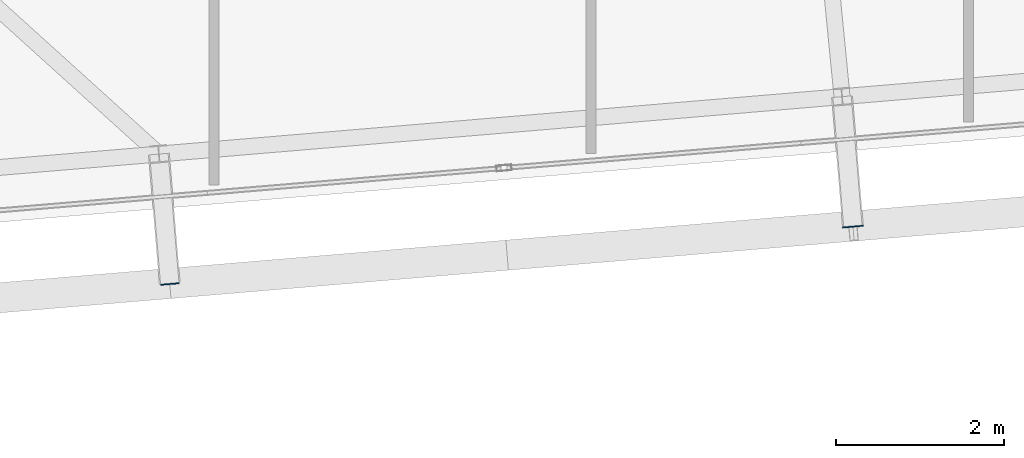
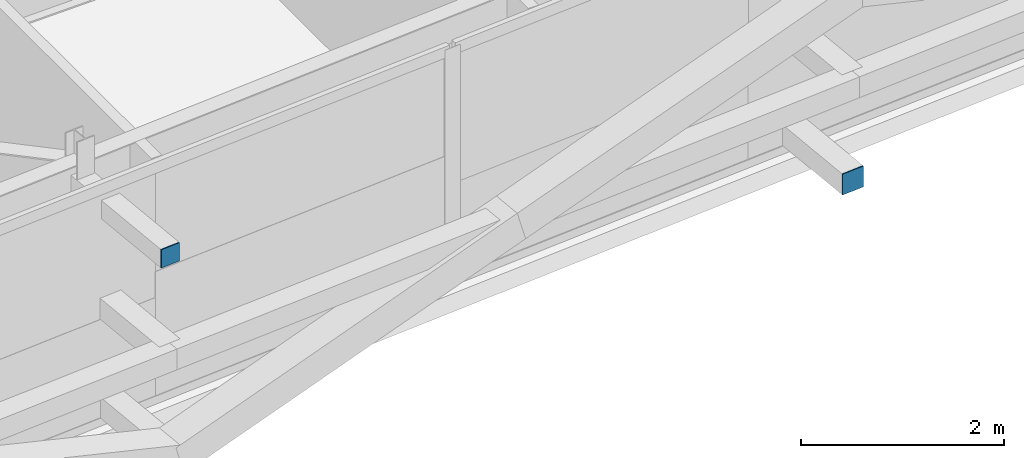
# One storey, part 28 of 39: 2 plates.
"""IFC4 building model written with IfcOpenShell, lengths in metres."""

from ifc_helpers import new_model, si_unit, direction, frame, origin, origin_2d, place, context, subcontext, project, spatial, rectangle, extrude, source, transform, mapped, material, layer, layer_set, type_object, element, save


model = new_model("IFC4")

# Units and contexts
model_context = context("Model", 3, precision=1e-05, world=origin(), true_north=direction((0.0, 1.0)))
body_context = subcontext(model_context, "Body", "Model", "MODEL_VIEW")
ifc_project = project(units=[si_unit("LENGTHUNIT", "METRE"), si_unit("AREAUNIT", "SQUARE_METRE"), si_unit("VOLUMEUNIT", "CUBIC_METRE"), si_unit("PLANEANGLEUNIT", "RADIAN"), si_unit("MASSUNIT", "GRAM", prefix="KILO")], contexts=[model_context])

# Site, building, storey
site_placement = place(None, origin())
site = spatial("IfcSite", under=ifc_project, at=site_placement, CompositionType="ELEMENT")
building_placement = place(site_placement, origin())
building = spatial("IfcBuilding", under=site, at=building_placement, Name="Taldren Reach Tower", CompositionType="ELEMENT")
storey_placement = place(building_placement, frame((0.0, 0.0, 204.050048828125)))
storey = spatial("IfcBuildingStorey", under=building, at=storey_placement, Name="L62", CompositionType="ELEMENT", Elevation=204.050048828125)

# Plates
ifc_material_1 = material(Name="Steel Gr 350 (C350L0)", Category="steel")
ifc_layer_1 = layer(ifc_material_1, 0.011962890625)
ifc_layer_set_1 = layer_set([ifc_layer_1], Name="Steel Gr 350 (C350L0)")
plate_type_1 = type_object("IfcPlateType", Name="PL-CAP-250", PredefinedType="SHEET", material=ifc_layer_set_1)
shared_shape_1 = source(origin(), body_context, "Body", "SweptSolid", [
    extrude(rectangle(XDim=0.25, YDim=0.011962890625, at=origin_2d()), origin(), (0.0, 0.0, 1.0), 0.25),
])
plate_1_placement = place(storey_placement, frame((42.623779296875, 2.596923828125, 0.094970703125), z_axis=(0.0, 0.0, 1.0), x_axis=(0.99649285925, 0.083677843332, 0.0)))
element("IfcPlate", 1, at=plate_1_placement, inside=storey, type_object=plate_type_1, Name="Tie strut end cap plate B4-S4 L62", PredefinedType="SHEET", context=body_context, shape_type="MappedRepresentation", body=[
    mapped(shared_shape_1, transform((0.0, 0.0, 0.0), scale=1.0)),
])
ifc_material_2 = material(Name="Steel Gr 450 (C450L0)", Category="steel")
ifc_layer_2 = layer(ifc_material_2, 0.011962890625)
ifc_layer_set_2 = layer_set([ifc_layer_2], Name="Steel Gr 450 (C450L0)")
plate_type_2 = type_object("IfcPlateType", Name="PL-CAP-220", PredefinedType="SHEET", material=ifc_layer_set_2)
shared_shape_2 = source(origin(), body_context, "Body", "SweptSolid", [
    extrude(rectangle(XDim=0.219970703125, YDim=0.011962890625, at=origin_2d()), origin(), (0.0, 0.0, 1.0), 0.219970703125),
])
plate_2_placement = place(storey_placement, frame((34.472412109375, 1.912353515625, 2.47998046875), z_axis=(0.0, 0.0, 1.0), x_axis=(0.99649285925, 0.083677843332, 0.0)))
element("IfcPlate", 2, at=plate_2_placement, inside=storey, type_object=plate_type_2, Name="Tie strut end cap plate B4-S3 L62", PredefinedType="SHEET", context=body_context, shape_type="MappedRepresentation", body=[
    mapped(shared_shape_2, transform((0.0, 0.0, 0.0), scale=1.0)),
])

save(model, "model.ifc")
